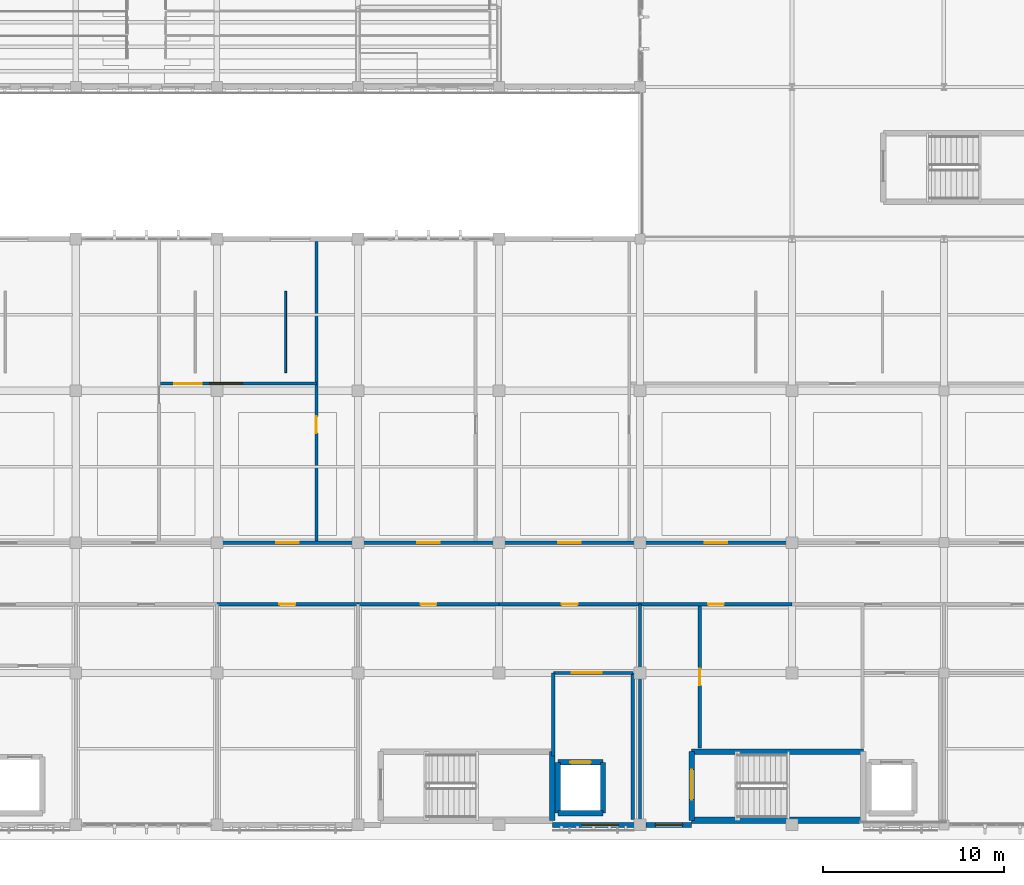
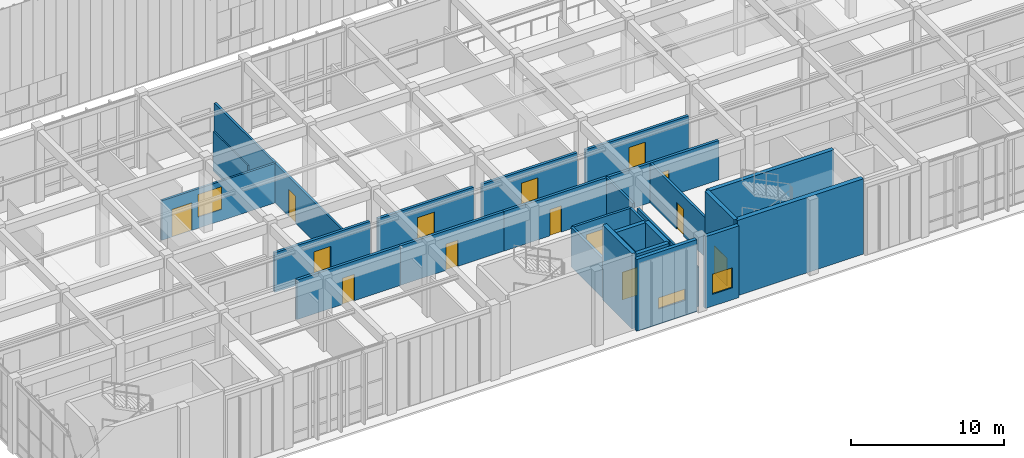
# One storey, part 71 of 105: 27 walls, 14 doors, 3 windows, 17 openings.
"""IFC4 building model written with IfcOpenShell, lengths in metres."""

from ifc_helpers import new_model, si_unit, direction, frame, frame_2d, origin, place, context, subcontext, project, spatial, rectangle, extrude, material, layer, layer_set, type_object, element, fill, save


model = new_model("IFC4")

# Units and contexts
model_context = context("Model", 3, precision=1e-05, world=origin(), true_north=direction((0.0, 1.0)))
body_context = subcontext(model_context, "Body", "Model", "MODEL_VIEW")
ifc_project = project(units=[si_unit("LENGTHUNIT", "METRE"), si_unit("AREAUNIT", "SQUARE_METRE"), si_unit("VOLUMEUNIT", "CUBIC_METRE"), si_unit("PLANEANGLEUNIT", "RADIAN"), si_unit("MASSUNIT", "GRAM", prefix="KILO")], contexts=[model_context])

# Site, building, storey
site_placement = place(None, origin())
site = spatial("IfcSite", under=ifc_project, at=site_placement, CompositionType="ELEMENT")
building_placement = place(site_placement, origin())
building = spatial("IfcBuilding", under=site, at=building_placement, Name="Tizgana Railside Sports Hall", CompositionType="ELEMENT")
storey_placement = place(building_placement, frame((0.0, 0.0, 6.0)))
storey = spatial("IfcBuildingStorey", under=building, at=storey_placement, Name="L01", CompositionType="ELEMENT", Elevation=6.0)

# Wall, opening, door
ifc_material_1 = material(Name="Acoustic gypsum stud")
ifc_layer_1 = layer(ifc_material_1, 0.159912109375, Name="Acoustic gypsum stud")
ifc_layer_set_1 = layer_set([ifc_layer_1], Name="Acoustic gypsum stud")
wall_type_1 = type_object("IfcWallType", Name="Clinic Acoustic Partition 160", PredefinedType="STANDARD", material=ifc_layer_set_1)
wall_1_placement = place(storey_placement, frame((36.699951171875, 15.60009765625, 0.0), z_axis=(0.0, 0.0, 1.0), x_axis=(0.0, 1.0, 0.0)))
wall_1 = element("IfcWall", 1, at=wall_1_placement, inside=storey, type_object=wall_type_1, Name="L01 Partition PWAL-0076", PredefinedType="STANDARD", context=body_context, shape_type="SweptSolid", body=[
    extrude(rectangle(XDim=16.659912109375, YDim=0.159912109375, at=frame_2d((8.330078125, 0.0))), origin(), (0.0, 0.0, 1.0), 3.14990234375),
])
opening_1_placement = place(wall_1_placement, frame((6.06494140625, 0.0, 0.0)))
opening_1 = element("IfcOpeningElement", 2, at=opening_1_placement, cuts=wall_1, Name="Opening D-0156", PredefinedType="OPENING", context=body_context, shape_type="SweptSolid", body=[
    extrude(rectangle(XDim=0.919921875, YDim=2.14990234375, at=frame_2d((0.4599609375, 1.074951171875))), frame((0.0, 0.08984375, 0.0), z_axis=(0.0, -1.0, 0.0), x_axis=(1.0, 0.0, 0.0)), (0.0, 0.0, 1.0), 0.179931640625),
])
ifc_material_2 = material(Name="Solid beech timber", Category="wood")
door_type_1 = type_object("IfcDoorType", Name="Consultation & Coaching Door 920x2150", OperationType="NOTDEFINED", PredefinedType="DOOR", material=ifc_material_2)
door_1_placement = place(opening_1_placement, origin())
door_1 = element("IfcDoor", 3, at=door_1_placement, inside=storey, type_object=door_type_1, Name="L01 Door D-0156", OperationType="SINGLE_SWING_RIGHT", OverallHeight=2.14990234375, OverallWidth=0.919921875, PredefinedType="DOOR", context=body_context, shape_type="SweptSolid", body=[
    extrude(rectangle(XDim=0.919921875, YDim=2.14990234375, at=frame_2d((0.4599609375, 1.074951171875))), frame((0.0, 0.02490234375, 0.0), z_axis=(0.0, -1.0, 0.0), x_axis=(1.0, 0.0, 0.0)), (0.0, 0.0, 1.0), 0.050048828125),
])
fill(opening_1, door_1)

# Walls
wall_2_placement = place(storey_placement, frame((54.60009765625, 0.300048828125, 0.0), z_axis=(0.0, 0.0, 1.0), x_axis=(0.0, 1.0, 0.0)))
element("IfcWall", 4, at=wall_2_placement, inside=storey, type_object=wall_type_1, Name="L01 Partition PWAL-0086", PredefinedType="STANDARD", context=body_context, shape_type="SweptSolid", body=[
    extrude(rectangle(XDim=7.800048828125, YDim=0.159912109375, at=frame_2d((3.89990234375, 0.0))), origin(), (0.0, 0.0, 1.0), 3.14990234375),
])
wall_3_placement = place(storey_placement, frame((54.60009765625, 8.699951171875, 0.0), z_axis=(0.0, 0.0, 1.0), x_axis=(0.0, 1.0, 0.0)))
element("IfcWall", 5, at=wall_3_placement, inside=storey, type_object=wall_type_1, Name="L01 Partition PWAL-0087", PredefinedType="STANDARD", context=body_context, shape_type="SweptSolid", body=[
    extrude(rectangle(XDim=3.5, YDim=0.159912109375, at=frame_2d((1.75, 0.0))), origin(), (0.0, 0.0, 1.0), 3.14990234375),
])

# Wall, openings, window, door
wall_4_placement = place(storey_placement, frame((28.0849609375, 24.39990234375, 0.0), z_axis=(0.0, 0.0, 1.0), x_axis=(1.0, 0.0, 0.0)))
wall_4 = element("IfcWall", 6, at=wall_4_placement, inside=storey, type_object=wall_type_1, Name="L01 Partition PWAL-0337", PredefinedType="STANDARD", context=body_context, shape_type="SweptSolid", body=[
    extrude(rectangle(XDim=8.614990234375, YDim=0.159912109375, at=frame_2d((4.3076171875, 0.0))), origin(), (0.0, 0.0, 1.0), 3.14990234375),
])
opening_2_placement = place(wall_4_placement, frame((0.764892578125, 0.0, 0.0)))
opening_2 = element("IfcOpeningElement", 7, at=opening_2_placement, cuts=wall_4, Name="Opening D-0302", PredefinedType="OPENING", context=body_context, shape_type="SweptSolid", body=[
    extrude(rectangle(XDim=1.5, YDim=2.199951171875, at=frame_2d((0.75, 1.10009765625))), frame((0.0, 0.08984375, 0.0), z_axis=(0.0, -1.0, 0.0), x_axis=(1.0, 0.0, 0.0)), (0.0, 0.0, 1.0), 0.179931640625),
])
opening_3_placement = place(wall_4_placement, frame((2.715087890625, 0.0, 0.89990234375)))
opening_3 = element("IfcOpeningElement", 8, at=opening_3_placement, cuts=wall_4, Name="Opening W-0134", PredefinedType="OPENING", context=body_context, shape_type="SweptSolid", body=[
    extrude(rectangle(XDim=1.800048828125, YDim=1.800048828125, at=frame_2d((0.89990234375, 0.89990234375))), frame((0.0, 0.08984375, 0.0), z_axis=(0.0, -1.0, 0.0), x_axis=(1.0, 0.0, 0.0)), (0.0, 0.0, 1.0), 0.179931640625),
])
ifc_material_3 = material(Name="Double low-E laminated glass", Category="glass")
window_type_1 = type_object("IfcWindowType", Name="Clinic Observation Window 1800x1300", PartitioningType="SINGLE_PANEL", PredefinedType="WINDOW", material=ifc_material_3)
window_1_placement = place(opening_3_placement, origin())
window_1 = element("IfcWindow", 9, at=window_1_placement, inside=storey, type_object=window_type_1, Name="L01 Interior Window W-0134", OverallHeight=1.800048828125, OverallWidth=1.800048828125, PartitioningType="SINGLE_PANEL", PredefinedType="WINDOW", context=body_context, shape_type="SweptSolid", body=[
    extrude(rectangle(XDim=1.800048828125, YDim=1.800048828125, at=frame_2d((0.89990234375, 0.89990234375))), frame((0.0, 0.030029296875, 0.0), z_axis=(0.0, -1.0, 0.0), x_axis=(1.0, 0.0, 0.0)), (0.0, 0.0, 1.0), 0.06005859375),
])
fill(opening_3, window_1)
door_type_2 = type_object("IfcDoorType", Name="Hydro Rehab Double Door 1500x2200", OperationType="NOTDEFINED", PredefinedType="DOOR", material=ifc_material_2)
door_2_placement = place(opening_2_placement, origin())
door_2 = element("IfcDoor", 10, at=door_2_placement, inside=storey, type_object=door_type_2, Name="L01 Door D-0302", OperationType="DOUBLE_DOOR_SINGLE_SWING", OverallHeight=2.199951171875, OverallWidth=1.5, PredefinedType="DOOR", context=body_context, shape_type="SweptSolid", body=[
    extrude(rectangle(XDim=1.5, YDim=2.199951171875, at=frame_2d((0.75, 1.10009765625))), frame((0.0, 0.02490234375, 0.0), z_axis=(0.0, -1.0, 0.0), x_axis=(1.0, 0.0, 0.0)), (0.0, 0.0, 1.0), 0.050048828125),
])
fill(opening_2, door_2)

# Walls
ifc_material_4 = material(Name="Concrete C40/50", Category="concrete")
ifc_layer_2 = layer(ifc_material_4, 0.300048828125, Name="Concrete C40/50")
ifc_layer_set_2 = layer_set([ifc_layer_2], Name="Concrete C40/50")
wall_type_2 = type_object("IfcWallType", Name="Core Shear Wall 300", PredefinedType="SHEAR", material=ifc_layer_set_2)
wall_5_placement = place(storey_placement, frame((49.75, 0.25, 0.0), z_axis=(0.0, 0.0, 1.0), x_axis=(0.0, 1.0, 0.0)))
element("IfcWall", 11, at=wall_5_placement, inside=storey, type_object=wall_type_2, Name="L01 C2 Shaft Wall E", PredefinedType="SHEAR", context=body_context, shape_type="SweptSolid", body=[
    extrude(rectangle(XDim=3.800048828125, YDim=0.300048828125, at=frame_2d((1.89990234375, 0.0))), origin(), (0.0, 0.0, 1.0), 6.0),
])
wall_6_placement = place(storey_placement, frame((50.050048828125, 0.64990234375, 0.0), z_axis=(0.0, 0.0, 1.0), x_axis=(1.0, 0.0, 0.0)))
element("IfcWall", 12, at=wall_6_placement, inside=storey, type_object=wall_type_2, Name="L01 LP-01 Shaft Wall S", PredefinedType="SHEAR", context=body_context, shape_type="SweptSolid", body=[
    extrude(rectangle(XDim=2.5, YDim=0.300048828125, at=frame_2d((1.25, 0.0))), origin(), (0.0, 0.0, 1.0), 5.639892578125),
])

# Wall, opening, door
wall_7_placement = place(storey_placement, frame((50.050048828125, 3.449951171875, 0.0), z_axis=(0.0, 0.0, 1.0), x_axis=(1.0, 0.0, 0.0)))
wall_7 = element("IfcWall", 13, at=wall_7_placement, inside=storey, type_object=wall_type_2, Name="L01 LP-01 Shaft Wall N", PredefinedType="SHEAR", context=body_context, shape_type="SweptSolid", body=[
    extrude(rectangle(XDim=2.5, YDim=0.300048828125, at=frame_2d((1.25, 0.0))), origin(), (0.0, 0.0, 1.0), 5.639892578125),
])
opening_4_placement = place(wall_7_placement, frame((0.675048828125, 0.0, 0.0)))
opening_4 = element("IfcOpeningElement", 14, at=opening_4_placement, cuts=wall_7, Name="Opening D-0058", PredefinedType="OPENING", context=body_context, shape_type="SweptSolid", body=[
    extrude(rectangle(XDim=1.14990234375, YDim=2.199951171875, at=frame_2d((0.574951171875, 1.10009765625))), frame((0.0, 0.159912109375, 0.0), z_axis=(0.0, -1.0, 0.0), x_axis=(1.0, 0.0, 0.0)), (0.0, 0.0, 1.0), 0.320068359375),
])
ifc_material_5 = material(Name="Brushed stainless steel", Category="steel")
door_type_3 = type_object("IfcDoorType", Name="Passenger Lift Sliding Door 1150x2200", OperationType="NOTDEFINED", PredefinedType="DOOR", material=ifc_material_5)
door_3_placement = place(opening_4_placement, origin())
door_3 = element("IfcDoor", 15, at=door_3_placement, inside=storey, type_object=door_type_3, Name="L01 Door D-0058", OperationType="DOUBLE_DOOR_SLIDING", OverallHeight=2.199951171875, OverallWidth=1.14990234375, PredefinedType="DOOR", context=body_context, shape_type="SweptSolid", body=[
    extrude(rectangle(XDim=1.14990234375, YDim=2.199951171875, at=frame_2d((0.574951171875, 1.10009765625))), frame((0.0, 0.02490234375, 0.0), z_axis=(0.0, -1.0, 0.0), x_axis=(1.0, 0.0, 0.0)), (0.0, 0.0, 1.0), 0.050048828125),
])
fill(opening_4, door_3)

# Walls
for number, where, z_axis, x_axis, name in (
    (16, (50.050048828125, 0.64990234375, 0.0), (0.0, 0.0, 1.0), (0.0, 1.0, 0.0), "L01 LP-01 Shaft Wall W"),
    (17, (52.550048828125, 0.64990234375, 0.0), (0.0, 0.0, 1.0), (0.0, 1.0, 0.0), "L01 LP-01 Shaft Wall E"),
):
    element("IfcWall", number, at=place(storey_placement, frame(where, z_axis=z_axis, x_axis=x_axis)), inside=storey, type_object=wall_type_2, Name=name, PredefinedType="SHEAR", context=body_context, shape_type="SweptSolid", body=[
        extrude(rectangle(XDim=2.800048828125, YDim=0.300048828125, at=frame_2d((1.39990234375, 0.0))), origin(), (0.0, 0.0, 1.0), 5.639892578125),
    ])
wall_8_placement = place(storey_placement, frame((57.449951171875, 4.050048828125, 0.0), z_axis=(0.0, 0.0, 1.0), x_axis=(1.0, 0.0, 0.0)))
element("IfcWall", 18, at=wall_8_placement, inside=storey, type_object=wall_type_2, Name="L01 C3 Shaft Wall N", PredefinedType="SHEAR", context=body_context, shape_type="SweptSolid", body=[
    extrude(rectangle(XDim=9.5, YDim=0.300048828125, at=frame_2d((4.75, 0.0))), origin(), (0.0, 0.0, 1.0), 6.0),
])

# Wall, opening, door
wall_9_placement = place(storey_placement, frame((57.449951171875, 0.25, 0.0), z_axis=(0.0, 0.0, 1.0), x_axis=(0.0, 1.0, 0.0)))
wall_9 = element("IfcWall", 19, at=wall_9_placement, inside=storey, type_object=wall_type_2, Name="L01 C3 Shaft Wall W", PredefinedType="SHEAR", context=body_context, shape_type="SweptSolid", body=[
    extrude(rectangle(XDim=3.800048828125, YDim=0.300048828125, at=frame_2d((1.89990234375, 0.0))), origin(), (0.0, 0.0, 1.0), 6.0),
])
opening_5_placement = place(wall_9_placement, frame((1.14990234375, 0.0, 0.0)))
opening_5 = element("IfcOpeningElement", 20, at=opening_5_placement, cuts=wall_9, Name="Opening D-0064", PredefinedType="OPENING", context=body_context, shape_type="SweptSolid", body=[
    extrude(rectangle(XDim=1.64990234375, YDim=2.199951171875, at=frame_2d((0.824951171875, 1.10009765625))), frame((0.0, 0.159912109375, 0.0), z_axis=(0.0, -1.0, 0.0), x_axis=(1.0, 0.0, 0.0)), (0.0, 0.0, 1.0), 0.320068359375),
])
ifc_material_6 = material(Name="Timber fire leaf", Category="wood")
door_type_4 = type_object("IfcDoorType", Name="Stair Core Double Fire Door 1650x2200", OperationType="NOTDEFINED", PredefinedType="DOOR", material=ifc_material_6)
door_4_placement = place(opening_5_placement, origin())
door_4 = element("IfcDoor", 21, at=door_4_placement, inside=storey, type_object=door_type_4, Name="L01 Door D-0064", OperationType="DOUBLE_DOOR_SINGLE_SWING", OverallHeight=2.199951171875, OverallWidth=1.64990234375, PredefinedType="DOOR", context=body_context, shape_type="SweptSolid", body=[
    extrude(rectangle(XDim=1.64990234375, YDim=2.199951171875, at=frame_2d((0.824951171875, 1.10009765625))), frame((0.0, 0.02490234375, 0.0), z_axis=(0.0, -1.0, 0.0), x_axis=(1.0, 0.0, 0.0)), (0.0, 0.0, 1.0), 0.050048828125),
])
fill(opening_5, door_4)

ifc_material_7 = material(Name="Masonry blockwork", Category="masonry")
ifc_layer_3 = layer(ifc_material_7, 0.199951171875, Name="Masonry blockwork")
ifc_layer_set_3 = layer_set([ifc_layer_3], Name="Masonry blockwork")
wall_type_3 = type_object("IfcWallType", Name="Corridor Compartment Partition 200", PredefinedType="STANDARD", material=ifc_layer_set_3)
wall_10_placement = place(storey_placement, frame((31.5, 15.60009765625, 0.0), z_axis=(0.0, 0.0, 1.0), x_axis=(1.0, 0.0, 0.0)))
wall_10 = element("IfcWall", 22, at=wall_10_placement, inside=storey, type_object=wall_type_3, Name="L01 Partition PWAL-0059", PredefinedType="STANDARD", context=body_context, shape_type="SweptSolid", body=[
    extrude(rectangle(XDim=7.199951171875, YDim=0.199951171875, at=frame_2d((3.60009765625, 0.0))), origin(), (0.0, 0.0, 1.0), 3.14990234375),
])
opening_6_placement = place(wall_10_placement, frame((2.97509765625, 0.0, 0.0)))
opening_6 = element("IfcOpeningElement", 23, at=opening_6_placement, cuts=wall_10, Name="Opening D-0139", PredefinedType="OPENING", context=body_context, shape_type="SweptSolid", body=[
    extrude(rectangle(XDim=1.25, YDim=2.199951171875, at=frame_2d((0.625, 1.10009765625))), frame((0.0, 0.10986328125, 0.0), z_axis=(0.0, -1.0, 0.0), x_axis=(1.0, 0.0, 0.0)), (0.0, 0.0, 1.0), 0.219970703125),
])
door_type_5 = type_object("IfcDoorType", Name="Clinic Stretcher Leaf Door 1250x2200", OperationType="NOTDEFINED", PredefinedType="DOOR", material=ifc_material_2)
door_5_placement = place(opening_6_placement, origin())
door_5 = element("IfcDoor", 24, at=door_5_placement, inside=storey, type_object=door_type_5, Name="L01 Door D-0139", OperationType="SINGLE_SWING_LEFT", OverallHeight=2.199951171875, OverallWidth=1.25, PredefinedType="DOOR", context=body_context, shape_type="SweptSolid", body=[
    extrude(rectangle(XDim=1.25, YDim=2.199951171875, at=frame_2d((0.625, 1.10009765625))), frame((0.0, 0.02490234375, 0.0), z_axis=(0.0, -1.0, 0.0), x_axis=(1.0, 0.0, 0.0)), (0.0, 0.0, 1.0), 0.050048828125),
])
fill(opening_6, door_5)

wall_11_placement = place(storey_placement, frame((31.199951171875, 12.199951171875, 0.0), z_axis=(0.0, 0.0, 1.0), x_axis=(1.0, 0.0, 0.0)))
wall_11 = element("IfcWall", 25, at=wall_11_placement, inside=storey, type_object=wall_type_3, Name="L01 Partition PWAL-0060", PredefinedType="STANDARD", context=body_context, shape_type="SweptSolid", body=[
    extrude(rectangle(XDim=7.800048828125, YDim=0.199951171875, at=frame_2d((3.89990234375, 0.0))), origin(), (0.0, 0.0, 1.0), 3.14990234375),
])
opening_7_placement = place(wall_11_placement, frame((3.4599609375, 0.0, 0.0)))
opening_7 = element("IfcOpeningElement", 26, at=opening_7_placement, cuts=wall_11, Name="Opening D-0140", PredefinedType="OPENING", context=body_context, shape_type="SweptSolid", body=[
    extrude(rectangle(XDim=0.8798828125, YDim=2.10009765625, at=frame_2d((0.43994140625, 1.050048828125))), frame((0.0, 0.10986328125, 0.0), z_axis=(0.0, -1.0, 0.0), x_axis=(1.0, 0.0, 0.0)), (0.0, 0.0, 1.0), 0.219970703125),
])
door_type_6 = type_object("IfcDoorType", Name="Public & Staff WC Door 880x2100", OperationType="NOTDEFINED", PredefinedType="DOOR", material=ifc_material_2)
door_6_placement = place(opening_7_placement, origin())
door_6 = element("IfcDoor", 27, at=door_6_placement, inside=storey, type_object=door_type_6, Name="L01 Door D-0140", OperationType="SINGLE_SWING_RIGHT", OverallHeight=2.10009765625, OverallWidth=0.8798828125, PredefinedType="DOOR", context=body_context, shape_type="SweptSolid", body=[
    extrude(rectangle(XDim=0.8798828125, YDim=2.10009765625, at=frame_2d((0.43994140625, 1.050048828125))), frame((0.0, 0.02490234375, 0.0), z_axis=(0.0, -1.0, 0.0), x_axis=(1.0, 0.0, 0.0)), (0.0, 0.0, 1.0), 0.050048828125),
])
fill(opening_7, door_6)

wall_12_placement = place(storey_placement, frame((39.300048828125, 15.60009765625, 0.0), z_axis=(0.0, 0.0, 1.0), x_axis=(1.0, 0.0, 0.0)))
wall_12 = element("IfcWall", 28, at=wall_12_placement, inside=storey, type_object=wall_type_3, Name="L01 Partition PWAL-0061", PredefinedType="STANDARD", context=body_context, shape_type="SweptSolid", body=[
    extrude(rectangle(XDim=7.199951171875, YDim=0.199951171875, at=frame_2d((3.60009765625, 0.0))), origin(), (0.0, 0.0, 1.0), 3.14990234375),
])
opening_8_placement = place(wall_12_placement, frame((2.97509765625, 0.0, 0.0)))
opening_8 = element("IfcOpeningElement", 29, at=opening_8_placement, cuts=wall_12, Name="Opening D-0141", PredefinedType="OPENING", context=body_context, shape_type="SweptSolid", body=[
    extrude(rectangle(XDim=1.25, YDim=2.199951171875, at=frame_2d((0.625, 1.10009765625))), frame((0.0, 0.10986328125, 0.0), z_axis=(0.0, -1.0, 0.0), x_axis=(1.0, 0.0, 0.0)), (0.0, 0.0, 1.0), 0.219970703125),
])
door_7_placement = place(opening_8_placement, origin())
door_7 = element("IfcDoor", 30, at=door_7_placement, inside=storey, type_object=door_type_5, Name="L01 Door D-0141", OperationType="SINGLE_SWING_LEFT", OverallHeight=2.199951171875, OverallWidth=1.25, PredefinedType="DOOR", context=body_context, shape_type="SweptSolid", body=[
    extrude(rectangle(XDim=1.25, YDim=2.199951171875, at=frame_2d((0.625, 1.10009765625))), frame((0.0, 0.02490234375, 0.0), z_axis=(0.0, -1.0, 0.0), x_axis=(1.0, 0.0, 0.0)), (0.0, 0.0, 1.0), 0.050048828125),
])
fill(opening_8, door_7)

wall_13_placement = place(storey_placement, frame((39.0, 12.199951171875, 0.0), z_axis=(0.0, 0.0, 1.0), x_axis=(1.0, 0.0, 0.0)))
wall_13 = element("IfcWall", 31, at=wall_13_placement, inside=storey, type_object=wall_type_3, Name="L01 Partition PWAL-0062", PredefinedType="STANDARD", context=body_context, shape_type="SweptSolid", body=[
    extrude(rectangle(XDim=7.800048828125, YDim=0.199951171875, at=frame_2d((3.89990234375, 0.0))), origin(), (0.0, 0.0, 1.0), 3.14990234375),
])
opening_9_placement = place(wall_13_placement, frame((3.4599609375, 0.0, 0.0)))
opening_9 = element("IfcOpeningElement", 32, at=opening_9_placement, cuts=wall_13, Name="Opening D-0142", PredefinedType="OPENING", context=body_context, shape_type="SweptSolid", body=[
    extrude(rectangle(XDim=0.8798828125, YDim=2.10009765625, at=frame_2d((0.43994140625, 1.050048828125))), frame((0.0, 0.10986328125, 0.0), z_axis=(0.0, -1.0, 0.0), x_axis=(1.0, 0.0, 0.0)), (0.0, 0.0, 1.0), 0.219970703125),
])
door_8_placement = place(opening_9_placement, origin())
door_8 = element("IfcDoor", 33, at=door_8_placement, inside=storey, type_object=door_type_6, Name="L01 Door D-0142", OperationType="SINGLE_SWING_RIGHT", OverallHeight=2.10009765625, OverallWidth=0.8798828125, PredefinedType="DOOR", context=body_context, shape_type="SweptSolid", body=[
    extrude(rectangle(XDim=0.8798828125, YDim=2.10009765625, at=frame_2d((0.43994140625, 1.050048828125))), frame((0.0, 0.02490234375, 0.0), z_axis=(0.0, -1.0, 0.0), x_axis=(1.0, 0.0, 0.0)), (0.0, 0.0, 1.0), 0.050048828125),
])
fill(opening_9, door_8)

wall_14_placement = place(storey_placement, frame((47.10009765625, 15.60009765625, 0.0), z_axis=(0.0, 0.0, 1.0), x_axis=(1.0, 0.0, 0.0)))
wall_14 = element("IfcWall", 34, at=wall_14_placement, inside=storey, type_object=wall_type_3, Name="L01 Partition PWAL-0063", PredefinedType="STANDARD", context=body_context, shape_type="SweptSolid", body=[
    extrude(rectangle(XDim=7.199951171875, YDim=0.199951171875, at=frame_2d((3.60009765625, 0.0))), origin(), (0.0, 0.0, 1.0), 3.14990234375),
])
opening_10_placement = place(wall_14_placement, frame((2.97509765625, 0.0, 0.0)))
opening_10 = element("IfcOpeningElement", 35, at=opening_10_placement, cuts=wall_14, Name="Opening D-0143", PredefinedType="OPENING", context=body_context, shape_type="SweptSolid", body=[
    extrude(rectangle(XDim=1.25, YDim=2.199951171875, at=frame_2d((0.625, 1.10009765625))), frame((0.0, 0.10986328125, 0.0), z_axis=(0.0, -1.0, 0.0), x_axis=(1.0, 0.0, 0.0)), (0.0, 0.0, 1.0), 0.219970703125),
])
door_9_placement = place(opening_10_placement, origin())
door_9 = element("IfcDoor", 36, at=door_9_placement, inside=storey, type_object=door_type_5, Name="L01 Door D-0143", OperationType="SINGLE_SWING_LEFT", OverallHeight=2.199951171875, OverallWidth=1.25, PredefinedType="DOOR", context=body_context, shape_type="SweptSolid", body=[
    extrude(rectangle(XDim=1.25, YDim=2.199951171875, at=frame_2d((0.625, 1.10009765625))), frame((0.0, 0.02490234375, 0.0), z_axis=(0.0, -1.0, 0.0), x_axis=(1.0, 0.0, 0.0)), (0.0, 0.0, 1.0), 0.050048828125),
])
fill(opening_10, door_9)

wall_15_placement = place(storey_placement, frame((46.800048828125, 12.199951171875, 0.0), z_axis=(0.0, 0.0, 1.0), x_axis=(1.0, 0.0, 0.0)))
wall_15 = element("IfcWall", 37, at=wall_15_placement, inside=storey, type_object=wall_type_3, Name="L01 Partition PWAL-0064", PredefinedType="STANDARD", context=body_context, shape_type="SweptSolid", body=[
    extrude(rectangle(XDim=7.800048828125, YDim=0.199951171875, at=frame_2d((3.89990234375, 0.0))), origin(), (0.0, 0.0, 1.0), 3.14990234375),
])
opening_11_placement = place(wall_15_placement, frame((3.4599609375, 0.0, 0.0)))
opening_11 = element("IfcOpeningElement", 38, at=opening_11_placement, cuts=wall_15, Name="Opening D-0144", PredefinedType="OPENING", context=body_context, shape_type="SweptSolid", body=[
    extrude(rectangle(XDim=0.8798828125, YDim=2.10009765625, at=frame_2d((0.43994140625, 1.050048828125))), frame((0.0, 0.10986328125, 0.0), z_axis=(0.0, -1.0, 0.0), x_axis=(1.0, 0.0, 0.0)), (0.0, 0.0, 1.0), 0.219970703125),
])
door_10_placement = place(opening_11_placement, origin())
door_10 = element("IfcDoor", 39, at=door_10_placement, inside=storey, type_object=door_type_6, Name="L01 Door D-0144", OperationType="SINGLE_SWING_RIGHT", OverallHeight=2.10009765625, OverallWidth=0.8798828125, PredefinedType="DOOR", context=body_context, shape_type="SweptSolid", body=[
    extrude(rectangle(XDim=0.8798828125, YDim=2.10009765625, at=frame_2d((0.43994140625, 1.050048828125))), frame((0.0, 0.02490234375, 0.0), z_axis=(0.0, -1.0, 0.0), x_axis=(1.0, 0.0, 0.0)), (0.0, 0.0, 1.0), 0.050048828125),
])
fill(opening_11, door_10)

wall_16_placement = place(storey_placement, frame((54.89990234375, 15.60009765625, 0.0), z_axis=(0.0, 0.0, 1.0), x_axis=(1.0, 0.0, 0.0)))
wall_16 = element("IfcWall", 40, at=wall_16_placement, inside=storey, type_object=wall_type_3, Name="L01 Partition PWAL-0065", PredefinedType="STANDARD", context=body_context, shape_type="SweptSolid", body=[
    extrude(rectangle(XDim=7.800048828125, YDim=0.199951171875, at=frame_2d((3.89990234375, 0.0))), origin(), (0.0, 0.0, 1.0), 3.14990234375),
])
opening_12_placement = place(wall_16_placement, frame((3.27490234375, 0.0, 0.0)))
opening_12 = element("IfcOpeningElement", 41, at=opening_12_placement, cuts=wall_16, Name="Opening D-0145", PredefinedType="OPENING", context=body_context, shape_type="SweptSolid", body=[
    extrude(rectangle(XDim=1.25, YDim=2.199951171875, at=frame_2d((0.625, 1.10009765625))), frame((0.0, 0.10986328125, 0.0), z_axis=(0.0, -1.0, 0.0), x_axis=(1.0, 0.0, 0.0)), (0.0, 0.0, 1.0), 0.219970703125),
])
door_11_placement = place(opening_12_placement, origin())
door_11 = element("IfcDoor", 42, at=door_11_placement, inside=storey, type_object=door_type_5, Name="L01 Door D-0145", OperationType="SINGLE_SWING_LEFT", OverallHeight=2.199951171875, OverallWidth=1.25, PredefinedType="DOOR", context=body_context, shape_type="SweptSolid", body=[
    extrude(rectangle(XDim=1.25, YDim=2.199951171875, at=frame_2d((0.625, 1.10009765625))), frame((0.0, 0.02490234375, 0.0), z_axis=(0.0, -1.0, 0.0), x_axis=(1.0, 0.0, 0.0)), (0.0, 0.0, 1.0), 0.050048828125),
])
fill(opening_12, door_11)

wall_17_placement = place(storey_placement, frame((54.60009765625, 12.199951171875, 0.0), z_axis=(0.0, 0.0, 1.0), x_axis=(1.0, 0.0, 0.0)))
wall_17 = element("IfcWall", 43, at=wall_17_placement, inside=storey, type_object=wall_type_3, Name="L01 Partition PWAL-0066", PredefinedType="STANDARD", context=body_context, shape_type="SweptSolid", body=[
    extrude(rectangle(XDim=8.39990234375, YDim=0.199951171875, at=frame_2d((4.199951171875, 0.0))), origin(), (0.0, 0.0, 1.0), 3.14990234375),
])
opening_13_placement = place(wall_17_placement, frame((3.760009765625, 0.0, 0.0)))
opening_13 = element("IfcOpeningElement", 44, at=opening_13_placement, cuts=wall_17, Name="Opening D-0146", PredefinedType="OPENING", context=body_context, shape_type="SweptSolid", body=[
    extrude(rectangle(XDim=0.8798828125, YDim=2.10009765625, at=frame_2d((0.43994140625, 1.050048828125))), frame((0.0, 0.10986328125, 0.0), z_axis=(0.0, -1.0, 0.0), x_axis=(1.0, 0.0, 0.0)), (0.0, 0.0, 1.0), 0.219970703125),
])
door_12_placement = place(opening_13_placement, origin())
door_12 = element("IfcDoor", 45, at=door_12_placement, inside=storey, type_object=door_type_6, Name="L01 Door D-0146", OperationType="SINGLE_SWING_RIGHT", OverallHeight=2.10009765625, OverallWidth=0.8798828125, PredefinedType="DOOR", context=body_context, shape_type="SweptSolid", body=[
    extrude(rectangle(XDim=0.8798828125, YDim=2.10009765625, at=frame_2d((0.43994140625, 1.050048828125))), frame((0.0, 0.02490234375, 0.0), z_axis=(0.0, -1.0, 0.0), x_axis=(1.0, 0.0, 0.0)), (0.0, 0.0, 1.0), 0.050048828125),
])
fill(opening_13, door_12)

# Wall
ifc_material_8 = material(Name="Concrete C35/45", Category="concrete")
ifc_layer_4 = layer(ifc_material_8, 0.340087890625, Name="Concrete C35/45")
ifc_layer_set_4 = layer_set([ifc_layer_4], Name="Concrete C35/45")
wall_type_4 = type_object("IfcWallType", Name="Exterior Insulated Concrete Wall 340", PredefinedType="STANDARD", material=ifc_layer_set_4)
wall_18_placement = place(storey_placement, frame((66.949951171875, 0.25, 0.0), z_axis=(0.0, 0.0, 1.0), x_axis=(-1.0, 0.0, 0.0)))
element("IfcWall", 46, at=wall_18_placement, inside=storey, type_object=wall_type_4, Name="L01 C3 Shaft Wall S", PredefinedType="STANDARD", context=body_context, shape_type="SweptSolid", body=[
    extrude(rectangle(XDim=9.5, YDim=0.340087890625, at=frame_2d((4.75, 0.0))), origin(), (0.0, 0.0, 1.0), 6.0),
])

# Wall, opening, window
ifc_material_9 = material(Name="Precast concrete C40/50", Category="concrete")
ifc_layer_5 = layer(ifc_material_9, 0.27001953125, Name="Precast concrete C40/50")
ifc_layer_set_5 = layer_set([ifc_layer_5], Name="Precast concrete C40/50")
wall_type_5 = type_object("IfcWallType", Name="Exterior Studio Facade Wall 270", PredefinedType="STANDARD", material=ifc_layer_set_5)
wall_19_placement = place(storey_placement, frame((54.284912109375, 0.0, 0.0), z_axis=(0.0, 0.0, 1.0), x_axis=(-1.0, 0.0, 0.0)))
wall_19 = element("IfcWall", 47, at=wall_19_placement, inside=storey, type_object=wall_type_5, Name="L01 Exterior Wall EWAL-0087", PredefinedType="STANDARD", context=body_context, shape_type="SweptSolid", body=[
    extrude(rectangle(XDim=4.530029296875, YDim=0.27001953125, at=frame_2d((2.26513671875, 0.0))), origin(), (0.0, 0.0, 1.0), 5.719970703125),
])
opening_14_placement = place(wall_19_placement, frame((0.885009765625, 0.0, 1.199951171875)))
opening_14 = element("IfcOpeningElement", 48, at=opening_14_placement, cuts=wall_19, Name="Opening W-0061", PredefinedType="OPENING", context=body_context, shape_type="SweptSolid", body=[
    extrude(rectangle(XDim=2.0, YDim=0.89990234375, at=frame_2d((1.0, 0.449951171875))), frame((0.0, 0.14501953125, 0.0), z_axis=(0.0, -1.0, 0.0), x_axis=(1.0, 0.0, 0.0)), (0.0, 0.0, 1.0), 0.2900390625),
])
window_type_2 = type_object("IfcWindowType", Name="Changing High-Level Window 2000x900", PartitioningType="SINGLE_PANEL", PredefinedType="WINDOW", material=ifc_material_3)
window_2_placement = place(opening_14_placement, origin())
window_2 = element("IfcWindow", 49, at=window_2_placement, inside=storey, type_object=window_type_2, Name="L01 Window W-0061", OverallHeight=0.89990234375, OverallWidth=2.0, PartitioningType="SINGLE_PANEL", PredefinedType="WINDOW", context=body_context, shape_type="SweptSolid", body=[
    extrude(rectangle(XDim=2.0, YDim=0.89990234375, at=frame_2d((1.0, 0.449951171875))), frame((0.0, 0.030029296875, 0.0), z_axis=(0.0, -1.0, 0.0), x_axis=(1.0, 0.0, 0.0)), (0.0, 0.0, 1.0), 0.06005859375),
])
fill(opening_14, window_2)

wall_20_placement = place(storey_placement, frame((57.445068359375, 0.0, 0.0), z_axis=(0.0, 0.0, 1.0), x_axis=(-1.0, 0.0, 0.0)))
wall_20 = element("IfcWall", 50, at=wall_20_placement, inside=storey, type_object=wall_type_5, Name="L01 Exterior Wall EWAL-0088", PredefinedType="STANDARD", context=body_context, shape_type="SweptSolid", body=[
    extrude(rectangle(XDim=2.525146484375, YDim=0.27001953125, at=frame_2d((1.2626953125, 0.0))), origin(), (0.0, 0.0, 1.0), 5.719970703125),
])
opening_15_placement = place(wall_20_placement, frame((0.4951171875, 0.0, 0.949951171875)))
opening_15 = element("IfcOpeningElement", 51, at=opening_15_placement, cuts=wall_20, Name="Opening W-0062", PredefinedType="OPENING", context=body_context, shape_type="SweptSolid", body=[
    extrude(rectangle(XDim=1.5, YDim=1.60009765625, at=frame_2d((0.75, 0.800048828125))), frame((0.0, 0.14501953125, 0.0), z_axis=(0.0, -1.0, 0.0), x_axis=(1.0, 0.0, 0.0)), (0.0, 0.0, 1.0), 0.2900390625),
])
window_type_3 = type_object("IfcWindowType", Name="Referees Suite Window 1500x1600", PartitioningType="SINGLE_PANEL", PredefinedType="WINDOW", material=ifc_material_3)
window_3_placement = place(opening_15_placement, origin())
window_3 = element("IfcWindow", 52, at=window_3_placement, inside=storey, type_object=window_type_3, Name="L01 Window W-0062", OverallHeight=1.60009765625, OverallWidth=1.5, PartitioningType="SINGLE_PANEL", PredefinedType="WINDOW", context=body_context, shape_type="SweptSolid", body=[
    extrude(rectangle(XDim=1.5, YDim=1.60009765625, at=frame_2d((0.75, 0.800048828125))), frame((0.0, 0.030029296875, 0.0), z_axis=(0.0, -1.0, 0.0), x_axis=(1.0, 0.0, 0.0)), (0.0, 0.0, 1.0), 0.06005859375),
])
fill(opening_15, window_3)

# Walls
ifc_layer_6 = layer(ifc_material_1, 0.10009765625, Name="Acoustic gypsum stud")
ifc_layer_set_6 = layer_set([ifc_layer_6], Name="Acoustic gypsum stud")
wall_type_6 = type_object("IfcWallType", Name="Locker Alcove Partition 100", PredefinedType="STANDARD", material=ifc_layer_set_6)
wall_21_placement = place(storey_placement, frame((35.0, 25.0, 0.0), z_axis=(0.0, 0.0, 1.0), x_axis=(0.0, 1.0, 0.0)))
element("IfcWall", 53, at=wall_21_placement, inside=storey, type_object=wall_type_6, Name="L01 Partition PWAL-0100", PredefinedType="STANDARD", context=body_context, shape_type="SweptSolid", body=[
    extrude(rectangle(XDim=4.5, YDim=0.10009765625, at=frame_2d((2.25, 0.0))), origin(), (0.0, 0.0, 1.0), 3.14990234375),
])
ifc_layer_7 = layer(ifc_material_7, 0.179931640625, Name="Masonry blockwork")
ifc_layer_set_7 = layer_set([ifc_layer_7], Name="Masonry blockwork")
wall_type_7 = type_object("IfcWallType", Name="Riser and Shaft Wall 180", PredefinedType="STANDARD", material=ifc_layer_set_7)
wall_22_placement = place(storey_placement, frame((49.800048828125, 3.800048828125, 0.0), z_axis=(0.0, 0.0, 1.0), x_axis=(0.0, 1.0, 0.0)))
element("IfcWall", 54, at=wall_22_placement, inside=storey, type_object=wall_type_7, Name="L01 Partition PWAL-0357", PredefinedType="STANDARD", context=body_context, shape_type="SweptSolid", body=[
    extrude(rectangle(XDim=4.599853515625, YDim=0.179931640625, at=frame_2d((2.2998046875, 0.0))), origin(), (0.0, 0.0, 1.0), 3.14990234375),
])

# Wall, opening, door
wall_23_placement = place(storey_placement, frame((49.800048828125, 8.39990234375, 0.0), z_axis=(0.0, 0.0, 1.0), x_axis=(1.0, 0.0, 0.0)))
wall_23 = element("IfcWall", 55, at=wall_23_placement, inside=storey, type_object=wall_type_7, Name="L01 Partition PWAL-0358", PredefinedType="STANDARD", context=body_context, shape_type="SweptSolid", body=[
    extrude(rectangle(XDim=4.39990234375, YDim=0.179931640625, at=frame_2d((2.199951171875, 0.0))), origin(), (0.0, 0.0, 1.0), 3.14990234375),
])
opening_16_placement = place(wall_23_placement, frame((1.02490234375, 0.0, 0.0)))
opening_16 = element("IfcOpeningElement", 56, at=opening_16_placement, cuts=wall_23, Name="Opening D-0315", PredefinedType="OPENING", context=body_context, shape_type="SweptSolid", body=[
    extrude(rectangle(XDim=1.64990234375, YDim=2.199951171875, at=frame_2d((0.824951171875, 1.10009765625))), frame((0.0, 0.099853515625, 0.0), z_axis=(0.0, -1.0, 0.0), x_axis=(1.0, 0.0, 0.0)), (0.0, 0.0, 1.0), 0.199951171875),
])
door_13_placement = place(opening_16_placement, origin())
door_13 = element("IfcDoor", 57, at=door_13_placement, inside=storey, type_object=door_type_4, Name="L01 Door D-0315", OperationType="DOUBLE_DOOR_SINGLE_SWING", OverallHeight=2.199951171875, OverallWidth=1.64990234375, PredefinedType="DOOR", context=body_context, shape_type="SweptSolid", body=[
    extrude(rectangle(XDim=1.64990234375, YDim=2.199951171875, at=frame_2d((0.824951171875, 1.10009765625))), frame((0.0, 0.02490234375, 0.0), z_axis=(0.0, -1.0, 0.0), x_axis=(1.0, 0.0, 0.0)), (0.0, 0.0, 1.0), 0.050048828125),
])
fill(opening_16, door_13)

# Wall
wall_24_placement = place(storey_placement, frame((54.199951171875, 0.300048828125, 0.0), z_axis=(0.0, 0.0, 1.0), x_axis=(0.0, 1.0, 0.0)))
element("IfcWall", 58, at=wall_24_placement, inside=storey, type_object=wall_type_7, Name="L01 Partition PWAL-0359", PredefinedType="STANDARD", context=body_context, shape_type="SweptSolid", body=[
    extrude(rectangle(XDim=8.099853515625, YDim=0.179931640625, at=frame_2d((4.0498046875, 0.0))), origin(), (0.0, 0.0, 1.0), 3.14990234375),
])

# Wall, opening, door
wall_25_placement = place(storey_placement, frame((57.89990234375, 4.25, 0.0), z_axis=(0.0, 0.0, 1.0), x_axis=(0.0, 1.0, 0.0)))
wall_25 = element("IfcWall", 59, at=wall_25_placement, inside=storey, type_object=wall_type_7, Name="L01 Partition PWAL-0360", PredefinedType="STANDARD", context=body_context, shape_type="SweptSolid", body=[
    extrude(rectangle(XDim=7.85009765625, YDim=0.179931640625, at=frame_2d((3.925048828125, 0.0))), origin(), (0.0, 0.0, 1.0), 3.14990234375),
])
opening_17_placement = place(wall_25_placement, frame((3.465087890625, 0.0, 0.0)))
opening_17 = element("IfcOpeningElement", 60, at=opening_17_placement, cuts=wall_25, Name="Opening D-0316", PredefinedType="OPENING", context=body_context, shape_type="SweptSolid", body=[
    extrude(rectangle(XDim=0.919921875, YDim=2.14990234375, at=frame_2d((0.4599609375, 1.074951171875))), frame((0.0, 0.099853515625, 0.0), z_axis=(0.0, -1.0, 0.0), x_axis=(1.0, 0.0, 0.0)), (0.0, 0.0, 1.0), 0.199951171875),
])
door_14_placement = place(opening_17_placement, origin())
door_14 = element("IfcDoor", 61, at=door_14_placement, inside=storey, type_object=door_type_1, Name="L01 Door D-0316", OperationType="SINGLE_SWING_RIGHT", OverallHeight=2.14990234375, OverallWidth=0.919921875, PredefinedType="DOOR", context=body_context, shape_type="SweptSolid", body=[
    extrude(rectangle(XDim=0.919921875, YDim=2.14990234375, at=frame_2d((0.4599609375, 1.074951171875))), frame((0.0, 0.02490234375, 0.0), z_axis=(0.0, -1.0, 0.0), x_axis=(1.0, 0.0, 0.0)), (0.0, 0.0, 1.0), 0.050048828125),
])
fill(opening_17, door_14)

save(model, "model.ifc")
